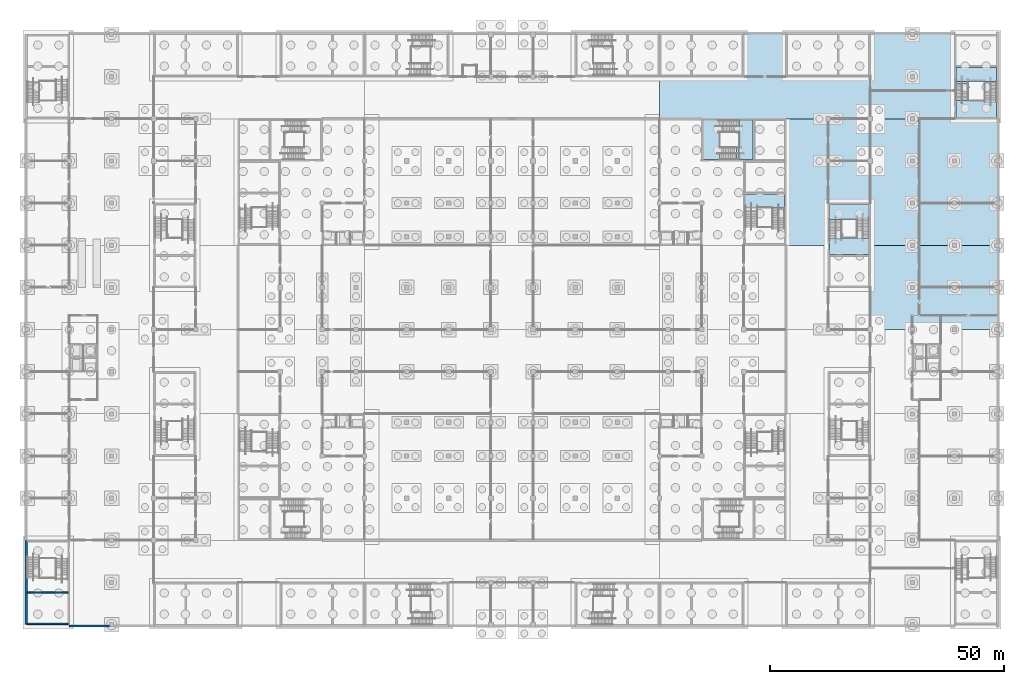
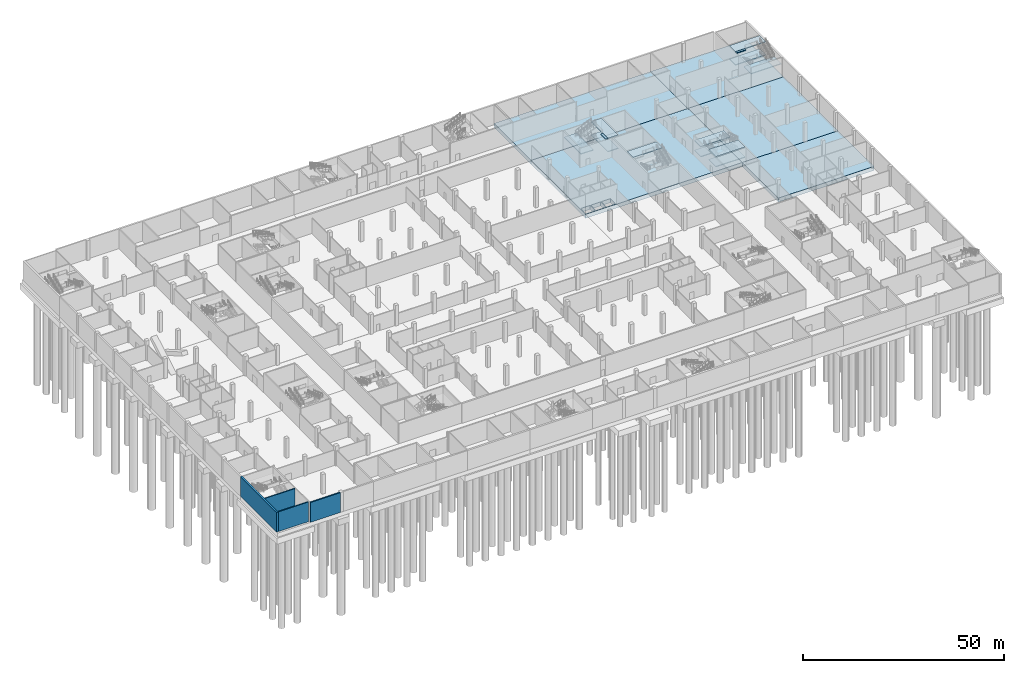
# One storey, part 7 of 42: 18 slabs, 4 walls, 4 elements without a shape of their own.
"""IFC4 building model written with IfcOpenShell, lengths in metres."""

import ifcopenshell
import ifcopenshell.guid

model = None  # the IFC model being written
_history = None  # IfcOwnerHistory: only IFC2X3 demands one
_inside = {}  # id of a spatial element -> (the spatial element, [elements in it])
_under = {}  # id of a project, library or spatial element -> (it, [spatial elements below it])
_declared = {}  # id of a project -> (the project, [libraries it declares])
_typed = {}  # id of a type object -> (the type object, [elements of that type])
_made_of = {}  # id of a material, layer set ... -> (it, [elements and type objects made of it])


def new_model(schema):
    """Start an empty IFC model of exactly this schema.

    Asked for "IFC4X3", IfcOpenShell would pick the latest addendum, in which some entities
    have other attributes; the version numbers below select the first issue.
    IFC2X3 requires an IfcOwnerHistory on every rooted entity: one is made here for all.
    """
    global model, _history
    if schema == "IFC4X3":
        model = ifcopenshell.file(schema_version=(4, 3, 0, 0))
    else:
        model = ifcopenshell.file(schema=schema)
    _inside.clear()
    _under.clear()
    _declared.clear()
    _typed.clear()
    _made_of.clear()
    _history = None
    if model.schema == "IFC2X3":
        org = make("IfcOrganization", Name="unknown")
        user = make(
            "IfcPersonAndOrganization",
            ThePerson=make("IfcPerson", FamilyName="unknown"),
            TheOrganization=org,
        )
        app = make(
            "IfcApplication",
            ApplicationDeveloper=org,
            Version="unknown",
            ApplicationFullName="unknown",
            ApplicationIdentifier="unknown",
        )
        _history = make(
            "IfcOwnerHistory",
            OwningUser=user,
            OwningApplication=app,
            ChangeAction="ADDED",
            CreationDate=0,
        )
    return model


def make(cls, **values):
    """One entity of the class cls with the attributes given. An attribute that is None is left unset."""
    return model.create_entity(
        cls, **{name: value for name, value in values.items() if value is not None}
    )


def rooted(cls, **values):
    """An entity with a GlobalId (a new one), such as an element, a storey or a relation."""
    return make(cls, GlobalId=ifcopenshell.guid.new(), OwnerHistory=_history, **values)


def si_unit(unit_type, name, prefix=None):
    """IfcSIUnit, for example si_unit("LENGTHUNIT", "METRE", prefix="MILLI")."""
    return make("IfcSIUnit", UnitType=unit_type, Prefix=prefix, Name=name)


def assignment(units):
    """IfcUnitAssignment: the units of a project."""
    return None if units is None else make("IfcUnitAssignment", Units=units)


def point(xyz):
    """IfcCartesianPoint."""
    return None if xyz is None else make("IfcCartesianPoint", Coordinates=xyz)


def direction(xyz):
    """IfcDirection."""
    return None if xyz is None else make("IfcDirection", DirectionRatios=xyz)


def frame(location, z_axis=None, x_axis=None):
    """IfcAxis2Placement3D, a coordinate frame: its origin and axes. An axis left out is left unset."""
    return make(
        "IfcAxis2Placement3D",
        Location=point(location),
        Axis=direction(z_axis),
        RefDirection=direction(x_axis),
    )


def frame_2d(location, x_axis=None):
    """IfcAxis2Placement2D, a coordinate frame in the plane: its origin and x axis."""
    return make(
        "IfcAxis2Placement2D", Location=point(location), RefDirection=direction(x_axis)
    )


def origin():
    """The frame at (0, 0, 0) with its axes left unset."""
    return frame((0.0, 0.0, 0.0))


def place(relative_to, where):
    """IfcLocalPlacement: puts the frame where relative to a parent placement (None: the world)."""
    return make(
        "IfcLocalPlacement", PlacementRelTo=relative_to, RelativePlacement=where
    )


def context(
    kind, dimensions, precision=None, world=None, true_north=None, identifier=None
):
    """IfcGeometricRepresentationContext, for example the 3D "Model" context."""
    return make(
        "IfcGeometricRepresentationContext",
        ContextIdentifier=identifier,
        ContextType=kind,
        CoordinateSpaceDimension=dimensions,
        Precision=precision,
        WorldCoordinateSystem=world,
        TrueNorth=true_north,
    )


def subcontext(parent, identifier, kind, view, scale=None):
    """IfcGeometricRepresentationSubContext, for example "Body" below "Model"."""
    return make(
        "IfcGeometricRepresentationSubContext",
        ContextIdentifier=identifier,
        ContextType=kind,
        ParentContext=parent,
        TargetScale=scale,
        TargetView=view,
    )


def project(units=None, contexts=None):
    """IfcProject with its units and contexts."""
    return rooted(
        "IfcProject",
        Name="project",
        RepresentationContexts=contexts,
        UnitsInContext=assignment(units),
    )


def spatial(cls, under=None, at=None, **own):
    """A site, building, storey or space (cls), placed at a placement, below another one or the project."""
    s = rooted(cls, ObjectPlacement=at, **own)
    if under is not None:
        _under.setdefault(under.id(), (under, []))[1].append(s)
    return s


def polyline(points):
    """IfcPolyline through the points."""
    return make("IfcPolyline", Points=[point(p) for p in points])


def profile(cls, at=None, kind="AREA", **sizes):
    """A parametric profile (cls). Its sizes go by their IFC names, for example OverallWidth=200.0."""
    return make(cls, ProfileType=kind, Position=at, **sizes)


def rectangle(**sizes):
    """IfcRectangleProfileDef."""
    return profile("IfcRectangleProfileDef", **sizes)


def outline(outer, holes=None, kind="AREA"):
    """IfcArbitraryClosedProfileDef: a profile drawn as a closed curve; with holes, ...WithVoids."""
    if holes is None:
        return make("IfcArbitraryClosedProfileDef", ProfileType=kind, OuterCurve=outer)
    return make(
        "IfcArbitraryProfileDefWithVoids",
        ProfileType=kind,
        OuterCurve=outer,
        InnerCurves=holes,
    )


def extrude(swept, where, along, depth):
    """IfcExtrudedAreaSolid: the profile swept, set in the frame where, extruded along a direction by depth."""
    return make(
        "IfcExtrudedAreaSolid",
        SweptArea=swept,
        Position=where,
        ExtrudedDirection=direction(along),
        Depth=depth,
    )


def shape(context_of_items, identifier, shape_type, items):
    """IfcShapeRepresentation: the items that make up one representation, for example the "Body"."""
    return make(
        "IfcShapeRepresentation",
        ContextOfItems=context_of_items,
        RepresentationIdentifier=identifier,
        RepresentationType=shape_type,
        Items=items,
    )


def material(Name=None, Category=None):
    """IfcMaterial."""
    return make("IfcMaterial", Name=Name, Category=Category)


def layer(
    of_material, thickness, ventilated=None, Name=None, Category=None, Priority=None
):
    """IfcMaterialLayer: one layer of a wall or slab, of a material (None: an air gap)."""
    return make(
        "IfcMaterialLayer",
        Material=of_material,
        LayerThickness=thickness,
        IsVentilated=ventilated,
        Name=Name,
        Category=Category,
        Priority=Priority,
    )


def layer_set(layers, Name=None):
    """IfcMaterialLayerSet."""
    return make("IfcMaterialLayerSet", MaterialLayers=layers, LayerSetName=Name)


def made_of(thing, what):
    """Note that an element or type object is made of a material, layer set ...; save() writes the relation."""
    if what is not None:
        _made_of.setdefault(what.id(), (what, []))[1].append(thing)
    return thing


def type_object(cls, material=None, **own):
    """A type object (cls), such as IfcWallType, which elements share."""
    return made_of(rooted(cls, **own), material)


def element(
    cls,
    number,
    at=None,
    inside=None,
    cuts=None,
    type_object=None,
    material=None,
    context=None,
    identifier="Body",
    shape_type=None,
    held_by="IfcProductDefinitionShape",
    body=None,
    shapes=None,
    **own,
):
    """One element of the class cls, such as IfcWall. Its Tag is "e" and its number.

    at: its placement. inside: the storey or other place that contains it. cuts: it is an
    opening in that element (IfcRelVoidsElement). A single representation is given by context,
    identifier, shape_type and body (its items); several are given by shapes. held_by: the class
    of the entity that holds the representations. save() writes the other relations.
    """
    e = rooted(cls, Tag="e%d" % number, ObjectPlacement=at, **own)
    if body is not None:
        shapes = [shape(context, identifier, shape_type, body)]
    if shapes is not None:
        e.Representation = make(held_by, Representations=shapes)
    if inside is not None:
        _inside.setdefault(inside.id(), (inside, []))[1].append(e)
    if cuts is not None:
        rooted(
            "IfcRelVoidsElement", RelatingBuildingElement=cuts, RelatedOpeningElement=e
        )
    if type_object is not None:
        _typed.setdefault(type_object.id(), (type_object, []))[1].append(e)
    return made_of(e, material)


def aggregate(whole, parts):
    """IfcRelAggregates: a whole, such as a stair, and the parts it consists of."""
    return rooted("IfcRelAggregates", RelatingObject=whole, RelatedObjects=parts)


def save(model, path):
    """Write the relations noted so far, then the file.

    IfcRelAggregates (storeys below a building ...), IfcRelContainedInSpatialStructure (elements
    in a storey), IfcRelDefinesByType, IfcRelAssociatesMaterial and IfcRelDeclares: one each for
    every whole, place, type object, material and project.
    """
    for whole, parts in _under.values():
        aggregate(whole, parts)
    for where, things in _inside.values():
        rooted(
            "IfcRelContainedInSpatialStructure",
            RelatedElements=things,
            RelatingStructure=where,
        )
    for kind, things in _typed.values():
        rooted("IfcRelDefinesByType", RelatedObjects=things, RelatingType=kind)
    for what, things in _made_of.values():
        rooted("IfcRelAssociatesMaterial", RelatedObjects=things, RelatingMaterial=what)
    for by, libraries in _declared.values():
        rooted("IfcRelDeclares", RelatingContext=by, RelatedDefinitions=libraries)
    model.write(path)


model = new_model("IFC4")

# Units and contexts
model_context = context("Model", 3, precision=1e-05, world=origin(), true_north=direction((0.0, 1.0)))
body_context = subcontext(model_context, "Body", "Model", "MODEL_VIEW")
ifc_project = project(units=[si_unit("LENGTHUNIT", "METRE"), si_unit("AREAUNIT", "SQUARE_METRE"), si_unit("VOLUMEUNIT", "CUBIC_METRE"), si_unit("PLANEANGLEUNIT", "RADIAN"), si_unit("MASSUNIT", "GRAM", prefix="KILO")], contexts=[model_context])

# Site, building, storey
site_placement = place(None, origin())
site = spatial("IfcSite", under=ifc_project, at=site_placement, CompositionType="ELEMENT")
building_placement = place(site_placement, origin())
building = spatial("IfcBuilding", under=site, at=building_placement, Name="Silverbay Arena", CompositionType="ELEMENT")
storey_placement = place(building_placement, frame((0.0, 0.0, -6.0)))
storey = spatial("IfcBuildingStorey", under=building, at=storey_placement, Name="B1", CompositionType="ELEMENT", Elevation=-6.0)

# Slabs
ifc_material_1 = material(Name="Concrete Grade C45", Category="concrete")
ifc_layer_1 = layer(ifc_material_1, 1.199951171875)
ifc_layer_set_1 = layer_set([ifc_layer_1], Name="Concrete Grade C45")
slab_type_1 = type_object("IfcSlabType", Name="RC base slab 1200", PredefinedType="BASESLAB", material=ifc_layer_set_1)
slab_1_placement = place(storey_placement, frame((0.0, 0.0, -1.199951171875)))
element("IfcSlab", 1, at=slab_1_placement, inside=storey, type_object=slab_type_1, Name="Floor slab B1 unit 15", PredefinedType="BASESLAB", context=body_context, shape_type="SweptSolid", body=[
    extrude(outline(polyline([(234.5, 98.925048828125), (234.5, 81.050048828125), (207.0, 81.050048828125), (207.0, 98.925048828125), (234.5, 98.925048828125)])), origin(), (0.0, 0.0, 1.0), 1.199951171875),
])
slab_2_placement = place(storey_placement, frame((0.0, 0.0, -1.199951171875)))
element("IfcSlab", 2, at=slab_2_placement, inside=storey, type_object=slab_type_1, Name="Floor slab B1 unit 19", PredefinedType="BASESLAB", context=body_context, shape_type="SweptSolid", body=[
    extrude(outline(polyline([(207.0, 126.0), (207.0, 98.925048828125), (162.0, 98.925048828125), (162.0, 126.0), (207.0, 126.0)]), holes=[polyline([(170.75, 101.75), (168.10009765625, 101.75), (168.10009765625, 99.25), (170.75, 99.25), (170.75, 101.75)]), polyline([(167.89990234375, 101.75), (165.10009765625, 101.75), (165.10009765625, 99.25), (167.89990234375, 99.25), (167.89990234375, 101.75)]), polyline([(162.25, 101.75), (162.25, 99.25), (164.89990234375, 99.25), (164.89990234375, 101.75), (162.25, 101.75)])]), origin(), (0.0, 0.0, 1.0), 1.199951171875),
])
slab_3_placement = place(storey_placement, frame((0.0, 0.0, -1.199951171875)))
element("IfcSlab", 3, at=slab_3_placement, inside=storey, type_object=slab_type_1, Name="Floor slab B1 unit 20", PredefinedType="BASESLAB", context=body_context, shape_type="SweptSolid", body=[
    extrude(outline(polyline([(207.0, 126.0), (234.5, 126.0), (234.5, 98.925048828125), (207.0, 98.925048828125), (207.0, 126.0)])), origin(), (0.0, 0.0, 1.0), 1.199951171875),
])
slab_4_placement = place(storey_placement, frame((0.0, 0.0, -1.199951171875)))
element("IfcSlab", 4, at=slab_4_placement, inside=storey, type_object=slab_type_1, Name="Floor slab B1 unit 24", PredefinedType="BASESLAB", context=body_context, shape_type="SweptSolid", body=[
    extrude(outline(polyline([(162.0, 126.0), (162.0, 144.5), (207.0, 144.5), (207.0, 126.0), (162.0, 126.0)])), origin(), (0.0, 0.0, 1.0), 1.199951171875),
])
slab_5_placement = place(storey_placement, frame((0.0, 0.0, -1.199951171875)))
element("IfcSlab", 5, at=slab_5_placement, inside=storey, type_object=slab_type_1, Name="Floor slab B1 unit 25", PredefinedType="BASESLAB", context=body_context, shape_type="SweptSolid", body=[
    extrude(outline(polyline([(207.0, 144.5), (234.5, 144.5), (234.5, 126.0), (207.0, 126.0), (207.0, 144.5)])), origin(), (0.0, 0.0, 1.0), 1.199951171875),
])

# Stair, slab
ifc_material_2 = material(Name="Concrete Grade C45", Category="concrete")
stair_type_1 = type_object("IfcStairType", Name="Stair 2600 wide 48 risers 125.0 x 300", PredefinedType="HALF_TURN_STAIR", material=ifc_material_2)
stair_1_placement = place(storey_placement, origin())
stair_1 = element("IfcStair", 6, at=stair_1_placement, inside=storey, type_object=stair_type_1, Name="Stair ST-NE1 B1 to L00", PredefinedType="HALF_TURN_STAIR")
ifc_material_3 = material(Name="Concrete Grade C45", Category="concrete")
ifc_layer_2 = layer(ifc_material_3, 0.25)
ifc_layer_set_2 = layer_set([ifc_layer_2], Name="Concrete Grade C45")
slab_type_2 = type_object("IfcSlabType", Name="Stair arrival platform RC 250", PredefinedType="FLOOR", material=ifc_layer_set_2)
slab_6_placement = place(storey_placement, frame((0.0, 0.0, 5.75)))
slab_6 = element("IfcSlab", 7, at=slab_6_placement, type_object=slab_type_2, Name="Stair ST-NE1 B1 to L00 arrival platform 4", PredefinedType="FLOOR", context=body_context, shape_type="SweptSolid", body=[
    extrude(outline(polyline([(178.39990234375, 117.300048828125), (179.010009765625, 117.300048828125), (179.010009765625, 119.89990234375), (178.39990234375, 119.89990234375), (178.39990234375, 117.300048828125)])), origin(), (0.0, 0.0, 1.0), 0.25),
])

stair_2_placement = place(storey_placement, origin())
stair_2 = element("IfcStair", 8, at=stair_2_placement, inside=storey, type_object=stair_type_1, Name="Stair ST-EG2 B1 to L00", PredefinedType="HALF_TURN_STAIR")
slab_7_placement = place(storey_placement, frame((0.0, 0.0, 5.75)))
slab_7 = element("IfcSlab", 9, at=slab_7_placement, type_object=slab_type_2, Name="Stair ST-EG2 B1 to L00 arrival platform 4", PredefinedType="FLOOR", context=body_context, shape_type="SweptSolid", body=[
    extrude(outline(polyline([(225.300048828125, 133.39990234375), (225.300048828125, 134.010009765625), (227.89990234375, 134.010009765625), (227.89990234375, 133.39990234375), (225.300048828125, 133.39990234375)])), origin(), (0.0, 0.0, 1.0), 0.25),
])

# Stair, slabs
ifc_material_4 = material(Name="Concrete Grade C45", Category="concrete")
stair_type_2 = type_object("IfcStairType", Name="Stair 2600 wide 56 risers 107.1 x 340", PredefinedType="HALF_TURN_STAIR", material=ifc_material_4)
stair_3_placement = place(storey_placement, origin())
stair_3 = element("IfcStair", 10, at=stair_3_placement, inside=storey, type_object=stair_type_2, Name="Stair ST-E2 B1 to L00", PredefinedType="HALF_TURN_STAIR")
ifc_material_5 = material(Name="Concrete Grade C45", Category="concrete")
ifc_layer_3 = layer(ifc_material_5, 0.25)
ifc_layer_set_3 = layer_set([ifc_layer_3], Name="Concrete Grade C45")
slab_type_3 = type_object("IfcSlabType", Name="Stair landing RC 250", PredefinedType="LANDING", material=ifc_layer_set_3)
slab_8_placement = place(storey_placement, frame((0.0, 0.0, 1.25)))
slab_8 = element("IfcSlab", 11, at=slab_8_placement, type_object=slab_type_3, Name="Stair ST-E2 B1 to L00 landing 1", PredefinedType="LANDING", context=body_context, shape_type="SweptSolid", body=[
    extrude(outline(polyline([(198.300048828125, 104.52099609375), (198.300048828125, 107.699951171875), (206.699951171875, 107.699951171875), (206.699951171875, 104.52099609375), (198.300048828125, 104.52099609375)])), origin(), (0.0, 0.0, 1.0), 0.25),
])
slab_9_placement = place(storey_placement, frame((0.0, 0.0, 2.75)))
slab_9 = element("IfcSlab", 12, at=slab_9_placement, type_object=slab_type_3, Name="Stair ST-E2 B1 to L00 landing 2", PredefinedType="LANDING", context=body_context, shape_type="SweptSolid", body=[
    extrude(outline(polyline([(198.300048828125, 97.0), (198.300048828125, 100.60009765625), (206.699951171875, 100.60009765625), (206.699951171875, 97.0), (198.300048828125, 97.0)])), origin(), (0.0, 0.0, 1.0), 0.25),
])
slab_10_placement = place(storey_placement, frame((0.0, 0.0, 4.25)))
slab_10 = element("IfcSlab", 13, at=slab_10_placement, type_object=slab_type_3, Name="Stair ST-E2 B1 to L00 landing 3", PredefinedType="LANDING", context=body_context, shape_type="SweptSolid", body=[
    extrude(outline(polyline([(198.300048828125, 104.52099609375), (198.300048828125, 107.699951171875), (206.699951171875, 107.699951171875), (206.699951171875, 104.52099609375), (198.300048828125, 104.52099609375)])), origin(), (0.0, 0.0, 1.0), 0.25),
])
slab_11_placement = place(storey_placement, frame((0.0, 0.0, 5.75)))
slab_11 = element("IfcSlab", 14, at=slab_11_placement, type_object=slab_type_3, Name="Stair ST-E2 B1 to L00 landing 4", PredefinedType="LANDING", context=body_context, shape_type="SweptSolid", body=[
    extrude(outline(polyline([(198.300048828125, 97.0), (198.300048828125, 100.60009765625), (206.699951171875, 100.60009765625), (206.699951171875, 97.0), (198.300048828125, 97.0)])), origin(), (0.0, 0.0, 1.0), 0.25),
])
aggregate(stair_3, [slab_8, slab_9, slab_10, slab_11])

# Slab
slab_12_placement = place(storey_placement, frame((0.0, 0.0, 1.75)))
slab_12 = element("IfcSlab", 15, at=slab_12_placement, type_object=slab_type_3, Name="Stair ST-NE1 B1 to L00 landing 1", PredefinedType="LANDING", context=body_context, shape_type="SweptSolid", body=[
    extrude(outline(polyline([(179.010009765625, 117.300048828125), (182.0, 117.300048828125), (182.0, 125.699951171875), (179.010009765625, 125.699951171875), (179.010009765625, 117.300048828125)])), origin(), (0.0, 0.0, 1.0), 0.25),
])

slab_13_placement = place(storey_placement, frame((0.0, 0.0, 3.75)))
slab_13 = element("IfcSlab", 16, at=slab_13_placement, type_object=slab_type_3, Name="Stair ST-NE1 B1 to L00 landing 2", PredefinedType="LANDING", context=body_context, shape_type="SweptSolid", body=[
    extrude(outline(polyline([(171.300048828125, 117.300048828125), (174.89990234375, 117.300048828125), (174.89990234375, 125.699951171875), (171.300048828125, 125.699951171875), (171.300048828125, 117.300048828125)])), origin(), (0.0, 0.0, 1.0), 0.25),
])

slab_14_placement = place(storey_placement, frame((0.0, 0.0, 5.75)))
slab_14 = element("IfcSlab", 17, at=slab_14_placement, type_object=slab_type_3, Name="Stair ST-NE1 B1 to L00 landing 3", PredefinedType="LANDING", context=body_context, shape_type="SweptSolid", body=[
    extrude(outline(polyline([(179.010009765625, 117.300048828125), (182.0, 117.300048828125), (182.0, 125.699951171875), (179.010009765625, 125.699951171875), (179.010009765625, 117.300048828125)])), origin(), (0.0, 0.0, 1.0), 0.25),
])

aggregate(stair_1, [slab_12, slab_13, slab_14, slab_6])

# Stair, slab
stair_4_placement = place(storey_placement, origin())
stair_4 = element("IfcStair", 18, at=stair_4_placement, inside=storey, type_object=stair_type_1, Name="Stair ST-NE2 B1 to L00", PredefinedType="HALF_TURN_STAIR")
slab_15_placement = place(storey_placement, frame((0.0, 0.0, 5.75)))
slab_15 = element("IfcSlab", 19, at=slab_15_placement, type_object=slab_type_3, Name="Stair ST-NE2 B1 to L00 landing 3", PredefinedType="LANDING", context=body_context, shape_type="SweptSolid", body=[
    extrude(outline(polyline([(180.300048828125, 107.010009765625), (180.300048828125, 110.0), (188.699951171875, 110.0), (188.699951171875, 107.010009765625), (180.300048828125, 107.010009765625)])), origin(), (0.0, 0.0, 1.0), 0.25),
])
aggregate(stair_4, [slab_15])

# Slab
slab_16_placement = place(storey_placement, frame((0.0, 0.0, 1.75)))
slab_16 = element("IfcSlab", 20, at=slab_16_placement, type_object=slab_type_3, Name="Stair ST-EG2 B1 to L00 landing 1", PredefinedType="LANDING", context=body_context, shape_type="SweptSolid", body=[
    extrude(outline(polyline([(225.300048828125, 134.010009765625), (225.300048828125, 137.0), (234.0, 137.0), (234.0, 134.010009765625), (225.300048828125, 134.010009765625)])), origin(), (0.0, 0.0, 1.0), 0.25),
])

slab_17_placement = place(storey_placement, frame((0.0, 0.0, 3.75)))
slab_17 = element("IfcSlab", 21, at=slab_17_placement, type_object=slab_type_3, Name="Stair ST-EG2 B1 to L00 landing 2", PredefinedType="LANDING", context=body_context, shape_type="SweptSolid", body=[
    extrude(outline(polyline([(225.300048828125, 126.300048828125), (225.300048828125, 129.89990234375), (234.0, 129.89990234375), (234.0, 126.300048828125), (225.300048828125, 126.300048828125)])), origin(), (0.0, 0.0, 1.0), 0.25),
])

slab_18_placement = place(storey_placement, frame((0.0, 0.0, 5.75)))
slab_18 = element("IfcSlab", 22, at=slab_18_placement, type_object=slab_type_3, Name="Stair ST-EG2 B1 to L00 landing 3", PredefinedType="LANDING", context=body_context, shape_type="SweptSolid", body=[
    extrude(outline(polyline([(225.300048828125, 134.010009765625), (225.300048828125, 137.0), (234.0, 137.0), (234.0, 134.010009765625), (225.300048828125, 134.010009765625)])), origin(), (0.0, 0.0, 1.0), 0.25),
])

aggregate(stair_2, [slab_16, slab_17, slab_18, slab_7])

# Walls
ifc_material_6 = material(Name="Concrete Grade C45", Category="concrete")
ifc_layer_4 = layer(ifc_material_6, 0.39990234375)
ifc_layer_set_4 = layer_set([ifc_layer_4], Name="Concrete Grade C45")
wall_type_1 = type_object("IfcWallType", Name="Basement perimeter wall 400", PredefinedType="SOLIDWALL", material=ifc_layer_set_4)
wall_1_placement = place(storey_placement, frame((36.0, 17.699951171875, 0.0), z_axis=(0.0, 0.0, 1.0), x_axis=(1.0, 0.0, 0.0)))
element("IfcWall", 23, at=wall_1_placement, inside=storey, type_object=wall_type_1, Name="South external wall B1 bay 2", PredefinedType="SOLIDWALL", context=body_context, shape_type="SweptSolid", body=[
    extrude(rectangle(XDim=8.550048828125, YDim=0.39990234375, at=frame_2d((4.27490234375, 0.0))), origin(), (0.0, 0.0, 1.0), 6.0),
])
ifc_material_7 = material(Name="Concrete Grade C45", Category="concrete")
ifc_layer_5 = layer(ifc_material_7, 0.300048828125)
ifc_layer_set_5 = layer_set([ifc_layer_5], Name="Concrete Grade C45")
wall_type_2 = type_object("IfcWallType", Name="Core wall RC 300 EI 240", PredefinedType="SHEAR", material=ifc_layer_set_5)
for number, where, z_axis, x_axis, name in (
    (24, (35.699951171875, 18.14990234375, 0.0), (0.0, 0.0, 1.0), (-1.0, 0.0, 0.0), "Core wall ST-WG1 B1 end 2"),
    (25, (35.699951171875, 24.85009765625, 0.0), (0.0, 0.0, 1.0), (-1.0, 0.0, 0.0), "Core wall ST-WG1 B1 stair enclosure"),
):
    element("IfcWall", number, at=place(storey_placement, frame(where, z_axis=z_axis, x_axis=x_axis)), inside=storey, type_object=wall_type_2, Name=name, PredefinedType="SHEAR", context=body_context, shape_type="SweptSolid", body=[
        extrude(rectangle(XDim=8.699951171875, YDim=0.300048828125, at=frame_2d((4.35009765625, 0.0))), origin(), (0.0, 0.0, 1.0), 6.0),
    ])
ifc_material_8 = material(Name="Concrete Grade C45", Category="concrete")
ifc_layer_6 = layer(ifc_material_8, 0.5)
ifc_layer_set_6 = layer_set([ifc_layer_6], Name="Concrete Grade C45")
wall_type_3 = type_object("IfcWallType", Name="Core wall RC 500 external EI 240", PredefinedType="SHEAR", material=ifc_layer_set_6)
wall_2_placement = place(storey_placement, frame((26.75, 36.0, 0.0), z_axis=(0.0, 0.0, 1.0), x_axis=(0.0, -1.0, 0.0)))
element("IfcWall", 26, at=wall_2_placement, inside=storey, type_object=wall_type_3, Name="Core wall ST-WG1 B1 facade side", PredefinedType="SHEAR", context=body_context, shape_type="SweptSolid", body=[
    extrude(rectangle(XDim=18.0, YDim=0.5, at=frame_2d((9.0, 0.0))), origin(), (0.0, 0.0, 1.0), 6.0),
])

save(model, "model.ifc")
